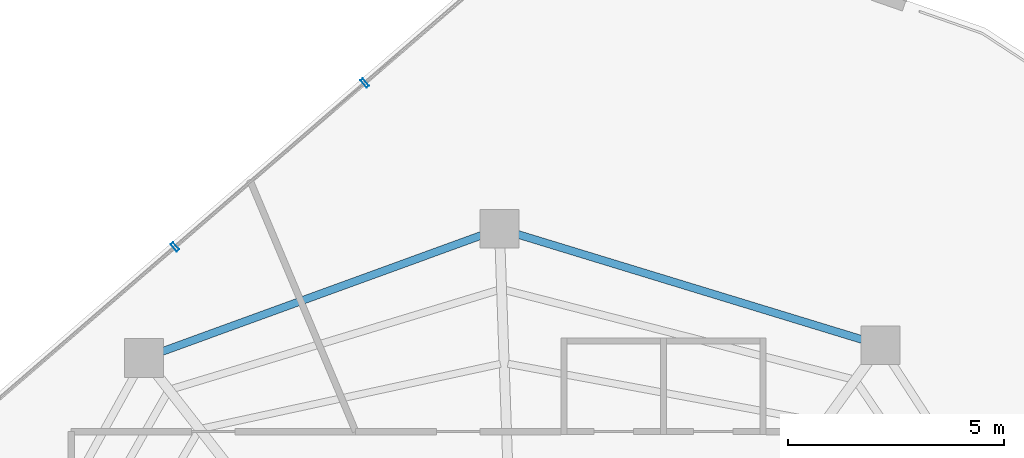
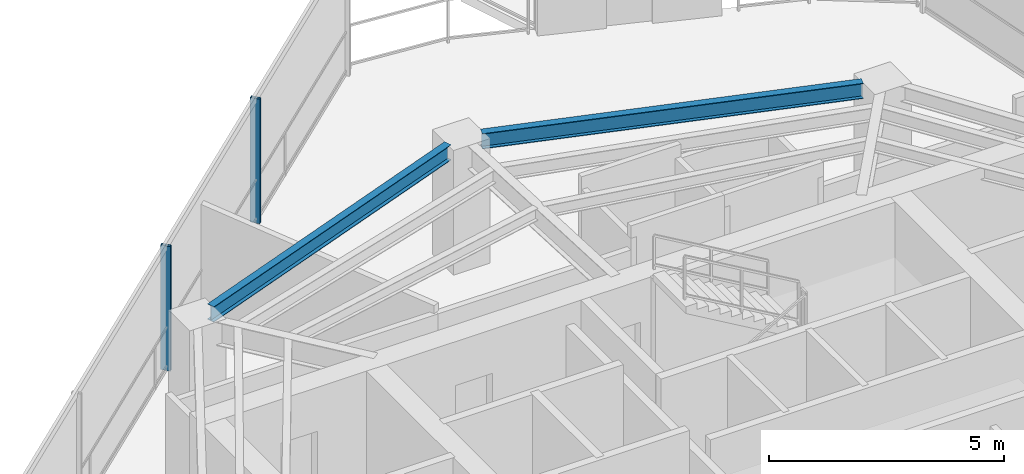
# One storey, part 12 of 18: 2 beams, 2 members, 1 element without a shape of its own.
"""IFC4 building model written with IfcOpenShell, lengths in metres."""

import ifcopenshell
import ifcopenshell.guid

model = None  # the IFC model being written
_history = None  # IfcOwnerHistory: only IFC2X3 demands one
_inside = {}  # id of a spatial element -> (the spatial element, [elements in it])
_under = {}  # id of a project, library or spatial element -> (it, [spatial elements below it])
_declared = {}  # id of a project -> (the project, [libraries it declares])
_typed = {}  # id of a type object -> (the type object, [elements of that type])
_made_of = {}  # id of a material, layer set ... -> (it, [elements and type objects made of it])


def new_model(schema):
    """Start an empty IFC model of exactly this schema.

    Asked for "IFC4X3", IfcOpenShell would pick the latest addendum, in which some entities
    have other attributes; the version numbers below select the first issue.
    IFC2X3 requires an IfcOwnerHistory on every rooted entity: one is made here for all.
    """
    global model, _history
    if schema == "IFC4X3":
        model = ifcopenshell.file(schema_version=(4, 3, 0, 0))
    else:
        model = ifcopenshell.file(schema=schema)
    _inside.clear()
    _under.clear()
    _declared.clear()
    _typed.clear()
    _made_of.clear()
    _history = None
    if model.schema == "IFC2X3":
        org = make("IfcOrganization", Name="unknown")
        user = make(
            "IfcPersonAndOrganization",
            ThePerson=make("IfcPerson", FamilyName="unknown"),
            TheOrganization=org,
        )
        app = make(
            "IfcApplication",
            ApplicationDeveloper=org,
            Version="unknown",
            ApplicationFullName="unknown",
            ApplicationIdentifier="unknown",
        )
        _history = make(
            "IfcOwnerHistory",
            OwningUser=user,
            OwningApplication=app,
            ChangeAction="ADDED",
            CreationDate=0,
        )
    return model


def make(cls, **values):
    """One entity of the class cls with the attributes given. An attribute that is None is left unset."""
    return model.create_entity(
        cls, **{name: value for name, value in values.items() if value is not None}
    )


def rooted(cls, **values):
    """An entity with a GlobalId (a new one), such as an element, a storey or a relation."""
    return make(cls, GlobalId=ifcopenshell.guid.new(), OwnerHistory=_history, **values)


def si_unit(unit_type, name, prefix=None):
    """IfcSIUnit, for example si_unit("LENGTHUNIT", "METRE", prefix="MILLI")."""
    return make("IfcSIUnit", UnitType=unit_type, Prefix=prefix, Name=name)


def assignment(units):
    """IfcUnitAssignment: the units of a project."""
    return None if units is None else make("IfcUnitAssignment", Units=units)


def point(xyz):
    """IfcCartesianPoint."""
    return None if xyz is None else make("IfcCartesianPoint", Coordinates=xyz)


def direction(xyz):
    """IfcDirection."""
    return None if xyz is None else make("IfcDirection", DirectionRatios=xyz)


def frame(location, z_axis=None, x_axis=None):
    """IfcAxis2Placement3D, a coordinate frame: its origin and axes. An axis left out is left unset."""
    return make(
        "IfcAxis2Placement3D",
        Location=point(location),
        Axis=direction(z_axis),
        RefDirection=direction(x_axis),
    )


def frame_2d(location, x_axis=None):
    """IfcAxis2Placement2D, a coordinate frame in the plane: its origin and x axis."""
    return make(
        "IfcAxis2Placement2D", Location=point(location), RefDirection=direction(x_axis)
    )


def origin():
    """The frame at (0, 0, 0) with its axes left unset."""
    return frame((0.0, 0.0, 0.0))


def origin_2d():
    """The frame at (0, 0) in the plane with its x axis left unset."""
    return frame_2d((0.0, 0.0))


def place(relative_to, where):
    """IfcLocalPlacement: puts the frame where relative to a parent placement (None: the world)."""
    return make(
        "IfcLocalPlacement", PlacementRelTo=relative_to, RelativePlacement=where
    )


def context(
    kind, dimensions, precision=None, world=None, true_north=None, identifier=None
):
    """IfcGeometricRepresentationContext, for example the 3D "Model" context."""
    return make(
        "IfcGeometricRepresentationContext",
        ContextIdentifier=identifier,
        ContextType=kind,
        CoordinateSpaceDimension=dimensions,
        Precision=precision,
        WorldCoordinateSystem=world,
        TrueNorth=true_north,
    )


def subcontext(parent, identifier, kind, view, scale=None):
    """IfcGeometricRepresentationSubContext, for example "Body" below "Model"."""
    return make(
        "IfcGeometricRepresentationSubContext",
        ContextIdentifier=identifier,
        ContextType=kind,
        ParentContext=parent,
        TargetScale=scale,
        TargetView=view,
    )


def project(units=None, contexts=None):
    """IfcProject with its units and contexts."""
    return rooted(
        "IfcProject",
        Name="project",
        RepresentationContexts=contexts,
        UnitsInContext=assignment(units),
    )


def spatial(cls, under=None, at=None, **own):
    """A site, building, storey or space (cls), placed at a placement, below another one or the project."""
    s = rooted(cls, ObjectPlacement=at, **own)
    if under is not None:
        _under.setdefault(under.id(), (under, []))[1].append(s)
    return s


def profile(cls, at=None, kind="AREA", **sizes):
    """A parametric profile (cls). Its sizes go by their IFC names, for example OverallWidth=200.0."""
    return make(cls, ProfileType=kind, Position=at, **sizes)


def hollow_rectangle(**sizes):
    """IfcRectangleHollowProfileDef."""
    return profile("IfcRectangleHollowProfileDef", **sizes)


def i_section(**sizes):
    """IfcIShapeProfileDef."""
    return profile("IfcIShapeProfileDef", **sizes)


def extrude(swept, where, along, depth):
    """IfcExtrudedAreaSolid: the profile swept, set in the frame where, extruded along a direction by depth."""
    return make(
        "IfcExtrudedAreaSolid",
        SweptArea=swept,
        Position=where,
        ExtrudedDirection=direction(along),
        Depth=depth,
    )


def shape(context_of_items, identifier, shape_type, items):
    """IfcShapeRepresentation: the items that make up one representation, for example the "Body"."""
    return make(
        "IfcShapeRepresentation",
        ContextOfItems=context_of_items,
        RepresentationIdentifier=identifier,
        RepresentationType=shape_type,
        Items=items,
    )


def material(Name=None, Category=None):
    """IfcMaterial."""
    return make("IfcMaterial", Name=Name, Category=Category)


def layer(
    of_material, thickness, ventilated=None, Name=None, Category=None, Priority=None
):
    """IfcMaterialLayer: one layer of a wall or slab, of a material (None: an air gap)."""
    return make(
        "IfcMaterialLayer",
        Material=of_material,
        LayerThickness=thickness,
        IsVentilated=ventilated,
        Name=Name,
        Category=Category,
        Priority=Priority,
    )


def layer_set(layers, Name=None):
    """IfcMaterialLayerSet."""
    return make("IfcMaterialLayerSet", MaterialLayers=layers, LayerSetName=Name)


def material_profile(
    of_material, cross_section, Name=None, Category=None, Priority=None
):
    """IfcMaterialProfile: a cross section and its material."""
    return make(
        "IfcMaterialProfile",
        Name=Name,
        Material=of_material,
        Profile=cross_section,
        Priority=Priority,
        Category=Category,
    )


def profile_set(profiles, Name=None, composite=None):
    """IfcMaterialProfileSet."""
    return make(
        "IfcMaterialProfileSet",
        Name=Name,
        MaterialProfiles=profiles,
        CompositeProfile=composite,
    )


def made_of(thing, what):
    """Note that an element or type object is made of a material, layer set ...; save() writes the relation."""
    if what is not None:
        _made_of.setdefault(what.id(), (what, []))[1].append(thing)
    return thing


def type_object(cls, material=None, **own):
    """A type object (cls), such as IfcWallType, which elements share."""
    return made_of(rooted(cls, **own), material)


def element(
    cls,
    number,
    at=None,
    inside=None,
    cuts=None,
    type_object=None,
    material=None,
    context=None,
    identifier="Body",
    shape_type=None,
    held_by="IfcProductDefinitionShape",
    body=None,
    shapes=None,
    **own,
):
    """One element of the class cls, such as IfcWall. Its Tag is "e" and its number.

    at: its placement. inside: the storey or other place that contains it. cuts: it is an
    opening in that element (IfcRelVoidsElement). A single representation is given by context,
    identifier, shape_type and body (its items); several are given by shapes. held_by: the class
    of the entity that holds the representations. save() writes the other relations.
    """
    e = rooted(cls, Tag="e%d" % number, ObjectPlacement=at, **own)
    if body is not None:
        shapes = [shape(context, identifier, shape_type, body)]
    if shapes is not None:
        e.Representation = make(held_by, Representations=shapes)
    if inside is not None:
        _inside.setdefault(inside.id(), (inside, []))[1].append(e)
    if cuts is not None:
        rooted(
            "IfcRelVoidsElement", RelatingBuildingElement=cuts, RelatedOpeningElement=e
        )
    if type_object is not None:
        _typed.setdefault(type_object.id(), (type_object, []))[1].append(e)
    return made_of(e, material)


def aggregate(whole, parts):
    """IfcRelAggregates: a whole, such as a stair, and the parts it consists of."""
    return rooted("IfcRelAggregates", RelatingObject=whole, RelatedObjects=parts)


def save(model, path):
    """Write the relations noted so far, then the file.

    IfcRelAggregates (storeys below a building ...), IfcRelContainedInSpatialStructure (elements
    in a storey), IfcRelDefinesByType, IfcRelAssociatesMaterial and IfcRelDeclares: one each for
    every whole, place, type object, material and project.
    """
    for whole, parts in _under.values():
        aggregate(whole, parts)
    for where, things in _inside.values():
        rooted(
            "IfcRelContainedInSpatialStructure",
            RelatedElements=things,
            RelatingStructure=where,
        )
    for kind, things in _typed.values():
        rooted("IfcRelDefinesByType", RelatedObjects=things, RelatingType=kind)
    for what, things in _made_of.values():
        rooted("IfcRelAssociatesMaterial", RelatedObjects=things, RelatingMaterial=what)
    for by, libraries in _declared.values():
        rooted("IfcRelDeclares", RelatingContext=by, RelatedDefinitions=libraries)
    model.write(path)


model = new_model("IFC4")

# Units and contexts
model_context = context("Model", 3, precision=1e-05, world=origin(), true_north=direction((0.0, 1.0)))
body_context = subcontext(model_context, "Body", "Model", "MODEL_VIEW")
ifc_project = project(units=[si_unit("LENGTHUNIT", "METRE"), si_unit("AREAUNIT", "SQUARE_METRE"), si_unit("VOLUMEUNIT", "CUBIC_METRE"), si_unit("PLANEANGLEUNIT", "RADIAN"), si_unit("MASSUNIT", "GRAM", prefix="KILO")], contexts=[model_context])

# Site, building, storey
site_placement = place(None, origin())
site = spatial("IfcSite", under=ifc_project, at=site_placement, CompositionType="ELEMENT")
building_placement = place(site_placement, origin())
building = spatial("IfcBuilding", under=site, at=building_placement, Name="Qarnah Convention Tower", CompositionType="ELEMENT")
storey_placement = place(building_placement, frame((0.0, 0.0, 220.199951171875)))
storey = spatial("IfcBuildingStorey", under=building, at=storey_placement, Name="L59", CompositionType="ELEMENT", Elevation=220.199951171875)

# Beams
ifc_material_1 = material(Name="Structural steel S355JR", Category="steel")
ifc_material_profile_1 = material_profile(ifc_material_1, i_section(OverallWidth=0.179931640625, OverallDepth=0.39990234375, WebThickness=0.009033203125, FlangeThickness=0.013916015625, at=origin_2d()), Name="IPE400")
ifc_profile_set_1 = profile_set([ifc_material_profile_1], Name="Structural steel S355JR")
beam_type = type_object("IfcBeamType", Name="BM-SPN-IPE400", PredefinedType="SPANDREL", material=ifc_profile_set_1)
beam_1_placement = place(storey_placement, frame((45.095947265625, 37.97705078125, 3.0400390625), z_axis=(-0.956348614223, 0.292228212318, 0.0), x_axis=(-0.292228212318, -0.956348614223, 0.0)))
element("IfcBeam", 1, at=beam_1_placement, inside=storey, type_object=beam_type, Name="L59 spandrel BM-L59-SPN-02", PredefinedType="SPANDREL", context=body_context, shape_type="SweptSolid", body=[
    extrude(i_section(OverallWidth=0.179931640625, OverallDepth=0.39990234375, WebThickness=0.009033203125, FlangeThickness=0.013916015625, at=origin_2d()), origin(), (0.0, 0.0, 1.0), 8.332763671875),
])
beam_2_placement = place(storey_placement, frame((36.29296875, 40.39111328125, 3.0400390625), z_axis=(-0.939665594936, -0.342094387112, 0.0), x_axis=(0.342094387112, -0.939665594936, 0.0)))
element("IfcBeam", 2, at=beam_2_placement, inside=storey, type_object=beam_type, Name="L59 spandrel BM-L59-SPN-03", PredefinedType="SPANDREL", context=body_context, shape_type="SweptSolid", body=[
    extrude(i_section(OverallWidth=0.179931640625, OverallDepth=0.39990234375, WebThickness=0.009033203125, FlangeThickness=0.013916015625, at=origin_2d()), origin(), (0.0, 0.0, 1.0), 7.86669921875),
])

# Curtain wall, members
ifc_material_2 = material(Name="Tempered Low-E dark glass", Category="glass")
ifc_layer = layer(ifc_material_2, 0.174072265625)
ifc_layer_set = layer_set([ifc_layer], Name="Tempered Low-E dark glass")
curtain_wall_type = type_object("IfcCurtainWallType", Name="CWS-04", PredefinedType="NOTDEFINED", material=ifc_layer_set)
curtain_wall_placement = place(storey_placement, origin())
curtain_wall = element("IfcCurtainWall", 3, at=curtain_wall_placement, inside=storey, type_object=curtain_wall_type, Name="L59 unitised curtain wall CW-L59-F1", PredefinedType="NOTDEFINED")
ifc_material_3 = material(Name="Black anodised aluminium", Category="aluminium")
ifc_material_profile_2 = material_profile(ifc_material_3, hollow_rectangle(XDim=0.074951171875, YDim=0.219970703125, WallThickness=0.0048828125, at=origin_2d()), Name="MUL-75X220")
ifc_profile_set_2 = profile_set([ifc_material_profile_2], Name="Black anodised aluminium")
member_type = type_object("IfcMemberType", Name="MUL-T4", PredefinedType="MULLION", material=ifc_profile_set_2)
member_1_placement = place(storey_placement, frame((29.202392578125, 40.122314453125, 0.0), z_axis=(0.0, 0.0, 1.0), x_axis=(0.756975759177, 0.653442958504, 0.0)))
member_1 = element("IfcMember", 4, at=member_1_placement, type_object=member_type, Name="CW-L59-F1 mullion 4", PredefinedType="MULLION", context=body_context, shape_type="SweptSolid", body=[
    extrude(hollow_rectangle(XDim=0.074951171875, YDim=0.219970703125, WallThickness=0.0048828125, at=origin_2d()), origin(), (0.0, 0.0, 1.0), 3.239990234375),
])
member_2_placement = place(storey_placement, frame((33.59228515625, 43.91162109375, 0.0), z_axis=(0.0, 0.0, 1.0), x_axis=(0.756975759177, 0.653442958504, 0.0)))
member_2 = element("IfcMember", 5, at=member_2_placement, type_object=member_type, Name="CW-L59-F1 mullion 5", PredefinedType="MULLION", context=body_context, shape_type="SweptSolid", body=[
    extrude(hollow_rectangle(XDim=0.074951171875, YDim=0.219970703125, WallThickness=0.0048828125, at=origin_2d()), origin(), (0.0, 0.0, 1.0), 3.239990234375),
])
aggregate(curtain_wall, [member_1, member_2])

save(model, "model.ifc")
